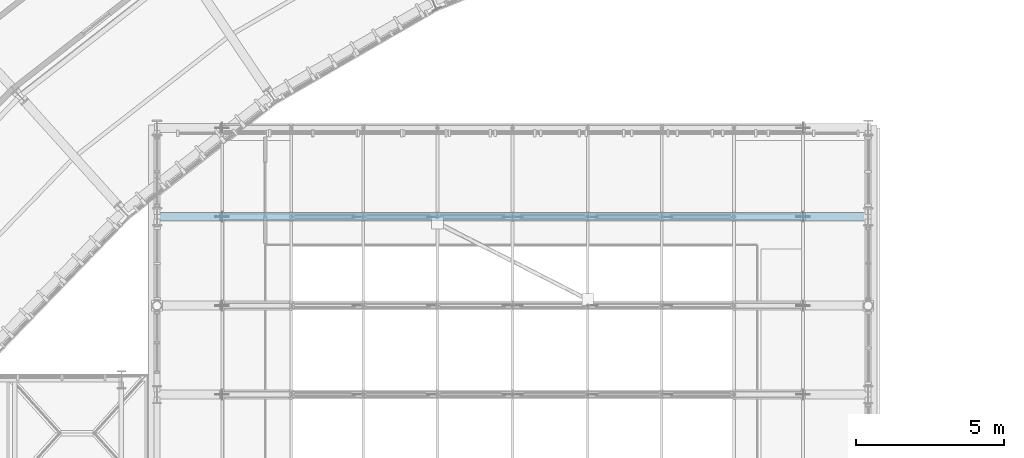
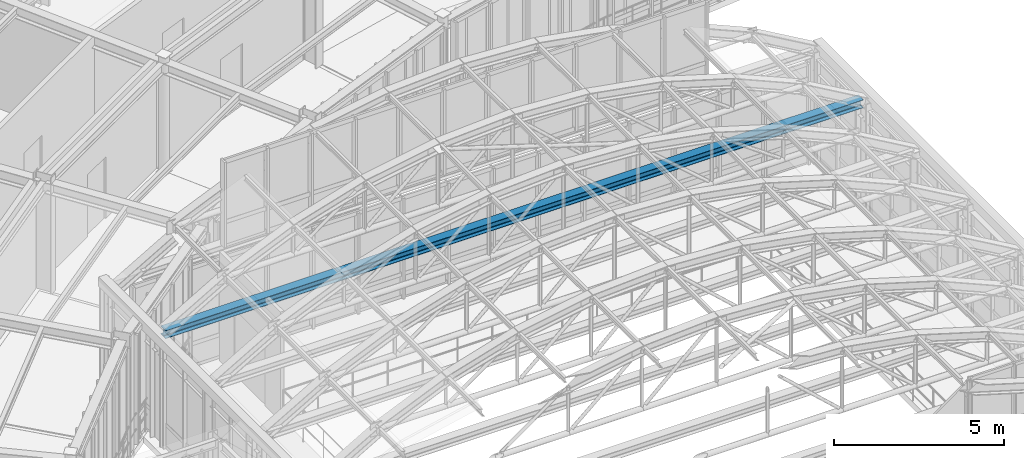
# One storey, part 69 of 148: 1 beam.
"""IFC4 building model written with IfcOpenShell, lengths in metres."""

import ifcopenshell
import ifcopenshell.guid

model = None  # the IFC model being written
_history = None  # IfcOwnerHistory: only IFC2X3 demands one
_inside = {}  # id of a spatial element -> (the spatial element, [elements in it])
_under = {}  # id of a project, library or spatial element -> (it, [spatial elements below it])
_declared = {}  # id of a project -> (the project, [libraries it declares])
_typed = {}  # id of a type object -> (the type object, [elements of that type])
_made_of = {}  # id of a material, layer set ... -> (it, [elements and type objects made of it])


def new_model(schema):
    """Start an empty IFC model of exactly this schema.

    Asked for "IFC4X3", IfcOpenShell would pick the latest addendum, in which some entities
    have other attributes; the version numbers below select the first issue.
    IFC2X3 requires an IfcOwnerHistory on every rooted entity: one is made here for all.
    """
    global model, _history
    if schema == "IFC4X3":
        model = ifcopenshell.file(schema_version=(4, 3, 0, 0))
    else:
        model = ifcopenshell.file(schema=schema)
    _inside.clear()
    _under.clear()
    _declared.clear()
    _typed.clear()
    _made_of.clear()
    _history = None
    if model.schema == "IFC2X3":
        org = make("IfcOrganization", Name="unknown")
        user = make(
            "IfcPersonAndOrganization",
            ThePerson=make("IfcPerson", FamilyName="unknown"),
            TheOrganization=org,
        )
        app = make(
            "IfcApplication",
            ApplicationDeveloper=org,
            Version="unknown",
            ApplicationFullName="unknown",
            ApplicationIdentifier="unknown",
        )
        _history = make(
            "IfcOwnerHistory",
            OwningUser=user,
            OwningApplication=app,
            ChangeAction="ADDED",
            CreationDate=0,
        )
    return model


def make(cls, **values):
    """One entity of the class cls with the attributes given. An attribute that is None is left unset."""
    return model.create_entity(
        cls, **{name: value for name, value in values.items() if value is not None}
    )


def rooted(cls, **values):
    """An entity with a GlobalId (a new one), such as an element, a storey or a relation."""
    return make(cls, GlobalId=ifcopenshell.guid.new(), OwnerHistory=_history, **values)


def si_unit(unit_type, name, prefix=None):
    """IfcSIUnit, for example si_unit("LENGTHUNIT", "METRE", prefix="MILLI")."""
    return make("IfcSIUnit", UnitType=unit_type, Prefix=prefix, Name=name)


def assignment(units):
    """IfcUnitAssignment: the units of a project."""
    return None if units is None else make("IfcUnitAssignment", Units=units)


def point(xyz):
    """IfcCartesianPoint."""
    return None if xyz is None else make("IfcCartesianPoint", Coordinates=xyz)


def direction(xyz):
    """IfcDirection."""
    return None if xyz is None else make("IfcDirection", DirectionRatios=xyz)


def frame(location, z_axis=None, x_axis=None):
    """IfcAxis2Placement3D, a coordinate frame: its origin and axes. An axis left out is left unset."""
    return make(
        "IfcAxis2Placement3D",
        Location=point(location),
        Axis=direction(z_axis),
        RefDirection=direction(x_axis),
    )


def frame_2d(location, x_axis=None):
    """IfcAxis2Placement2D, a coordinate frame in the plane: its origin and x axis."""
    return make(
        "IfcAxis2Placement2D", Location=point(location), RefDirection=direction(x_axis)
    )


def origin():
    """The frame at (0, 0, 0) with its axes left unset."""
    return frame((0.0, 0.0, 0.0))


def origin_2d():
    """The frame at (0, 0) in the plane with its x axis left unset."""
    return frame_2d((0.0, 0.0))


def place(relative_to, where):
    """IfcLocalPlacement: puts the frame where relative to a parent placement (None: the world)."""
    return make(
        "IfcLocalPlacement", PlacementRelTo=relative_to, RelativePlacement=where
    )


def context(
    kind, dimensions, precision=None, world=None, true_north=None, identifier=None
):
    """IfcGeometricRepresentationContext, for example the 3D "Model" context."""
    return make(
        "IfcGeometricRepresentationContext",
        ContextIdentifier=identifier,
        ContextType=kind,
        CoordinateSpaceDimension=dimensions,
        Precision=precision,
        WorldCoordinateSystem=world,
        TrueNorth=true_north,
    )


def subcontext(parent, identifier, kind, view, scale=None):
    """IfcGeometricRepresentationSubContext, for example "Body" below "Model"."""
    return make(
        "IfcGeometricRepresentationSubContext",
        ContextIdentifier=identifier,
        ContextType=kind,
        ParentContext=parent,
        TargetScale=scale,
        TargetView=view,
    )


def project(units=None, contexts=None):
    """IfcProject with its units and contexts."""
    return rooted(
        "IfcProject",
        Name="project",
        RepresentationContexts=contexts,
        UnitsInContext=assignment(units),
    )


def spatial(cls, under=None, at=None, **own):
    """A site, building, storey or space (cls), placed at a placement, below another one or the project."""
    s = rooted(cls, ObjectPlacement=at, **own)
    if under is not None:
        _under.setdefault(under.id(), (under, []))[1].append(s)
    return s


def profile(cls, at=None, kind="AREA", **sizes):
    """A parametric profile (cls). Its sizes go by their IFC names, for example OverallWidth=200.0."""
    return make(cls, ProfileType=kind, Position=at, **sizes)


def i_section(**sizes):
    """IfcIShapeProfileDef."""
    return profile("IfcIShapeProfileDef", **sizes)


def extrude(swept, where, along, depth):
    """IfcExtrudedAreaSolid: the profile swept, set in the frame where, extruded along a direction by depth."""
    return make(
        "IfcExtrudedAreaSolid",
        SweptArea=swept,
        Position=where,
        ExtrudedDirection=direction(along),
        Depth=depth,
    )


def shape(context_of_items, identifier, shape_type, items):
    """IfcShapeRepresentation: the items that make up one representation, for example the "Body"."""
    return make(
        "IfcShapeRepresentation",
        ContextOfItems=context_of_items,
        RepresentationIdentifier=identifier,
        RepresentationType=shape_type,
        Items=items,
    )


def material(Name=None, Category=None):
    """IfcMaterial."""
    return make("IfcMaterial", Name=Name, Category=Category)


def material_profile(
    of_material, cross_section, Name=None, Category=None, Priority=None
):
    """IfcMaterialProfile: a cross section and its material."""
    return make(
        "IfcMaterialProfile",
        Name=Name,
        Material=of_material,
        Profile=cross_section,
        Priority=Priority,
        Category=Category,
    )


def profile_set(profiles, Name=None, composite=None):
    """IfcMaterialProfileSet."""
    return make(
        "IfcMaterialProfileSet",
        Name=Name,
        MaterialProfiles=profiles,
        CompositeProfile=composite,
    )


def made_of(thing, what):
    """Note that an element or type object is made of a material, layer set ...; save() writes the relation."""
    if what is not None:
        _made_of.setdefault(what.id(), (what, []))[1].append(thing)
    return thing


def type_object(cls, material=None, **own):
    """A type object (cls), such as IfcWallType, which elements share."""
    return made_of(rooted(cls, **own), material)


def element(
    cls,
    number,
    at=None,
    inside=None,
    cuts=None,
    type_object=None,
    material=None,
    context=None,
    identifier="Body",
    shape_type=None,
    held_by="IfcProductDefinitionShape",
    body=None,
    shapes=None,
    **own,
):
    """One element of the class cls, such as IfcWall. Its Tag is "e" and its number.

    at: its placement. inside: the storey or other place that contains it. cuts: it is an
    opening in that element (IfcRelVoidsElement). A single representation is given by context,
    identifier, shape_type and body (its items); several are given by shapes. held_by: the class
    of the entity that holds the representations. save() writes the other relations.
    """
    e = rooted(cls, Tag="e%d" % number, ObjectPlacement=at, **own)
    if body is not None:
        shapes = [shape(context, identifier, shape_type, body)]
    if shapes is not None:
        e.Representation = make(held_by, Representations=shapes)
    if inside is not None:
        _inside.setdefault(inside.id(), (inside, []))[1].append(e)
    if cuts is not None:
        rooted(
            "IfcRelVoidsElement", RelatingBuildingElement=cuts, RelatedOpeningElement=e
        )
    if type_object is not None:
        _typed.setdefault(type_object.id(), (type_object, []))[1].append(e)
    return made_of(e, material)


def aggregate(whole, parts):
    """IfcRelAggregates: a whole, such as a stair, and the parts it consists of."""
    return rooted("IfcRelAggregates", RelatingObject=whole, RelatedObjects=parts)


def save(model, path):
    """Write the relations noted so far, then the file.

    IfcRelAggregates (storeys below a building ...), IfcRelContainedInSpatialStructure (elements
    in a storey), IfcRelDefinesByType, IfcRelAssociatesMaterial and IfcRelDeclares: one each for
    every whole, place, type object, material and project.
    """
    for whole, parts in _under.values():
        aggregate(whole, parts)
    for where, things in _inside.values():
        rooted(
            "IfcRelContainedInSpatialStructure",
            RelatedElements=things,
            RelatingStructure=where,
        )
    for kind, things in _typed.values():
        rooted("IfcRelDefinesByType", RelatedObjects=things, RelatingType=kind)
    for what, things in _made_of.values():
        rooted("IfcRelAssociatesMaterial", RelatedObjects=things, RelatingMaterial=what)
    for by, libraries in _declared.values():
        rooted("IfcRelDeclares", RelatingContext=by, RelatedDefinitions=libraries)
    model.write(path)


model = new_model("IFC4")

# Units and contexts
model_context = context("Model", 3, precision=1e-05, world=origin(), true_north=direction((0.0, 1.0)))
body_context = subcontext(model_context, "Body", "Model", "MODEL_VIEW")
ifc_project = project(units=[si_unit("LENGTHUNIT", "METRE"), si_unit("AREAUNIT", "SQUARE_METRE"), si_unit("VOLUMEUNIT", "CUBIC_METRE"), si_unit("PLANEANGLEUNIT", "RADIAN"), si_unit("MASSUNIT", "GRAM", prefix="KILO"), si_unit("THERMODYNAMICTEMPERATUREUNIT", "KELVIN"), si_unit("POWERUNIT", "WATT")], contexts=[model_context])

# Site, building, storey
site_placement = place(None, origin())
site = spatial("IfcSite", under=ifc_project, at=site_placement, CompositionType="ELEMENT")
building_placement = place(site_placement, origin())
building = spatial("IfcBuilding", under=site, at=building_placement, Name="Solvatero Civic Police Headquarters", CompositionType="ELEMENT")
storey_placement = place(building_placement, frame((0.0, 0.0, 5.10009765625)))
storey = spatial("IfcBuildingStorey", under=building, at=storey_placement, Name="L01", CompositionType="ELEMENT", Elevation=5.10009765625)

# Beam
ifc_material = material(Name="Steel S355", Category="steel")
ifc_material_profile = material_profile(ifc_material, i_section(OverallWidth=0.300048828125, OverallDepth=0.2900390625, WebThickness=0.008544921875, FlangeThickness=0.013916015625, FilletRadius=0.027099609375, at=origin_2d()), Name="HEA 300")
ifc_profile_set = profile_set([ifc_material_profile], Name="Steel S355")
beam_type = type_object("IfcBeamType", Name="BM-ST-HEA300", PredefinedType="SPANDREL", material=ifc_profile_set)
beam_placement = place(storey_placement, frame((64.919921875, 59.5, 3.864013671875), z_axis=(1.0, 0.0, 0.0), x_axis=(0.0, 1.0, 0.0)))
element("IfcBeam", 1, at=beam_placement, inside=storey, type_object=beam_type, Name="VLT2 Barrel Vault Springing Tie Beam F7", PredefinedType="SPANDREL", context=body_context, shape_type="SweptSolid", body=[
    extrude(i_section(OverallWidth=0.300048828125, OverallDepth=0.2900390625, WebThickness=0.008544921875, FlangeThickness=0.013916015625, FilletRadius=0.027099609375, at=origin_2d()), origin(), (0.0, 0.0, 1.0), 23.719970703125),
])

save(model, "model.ifc")
